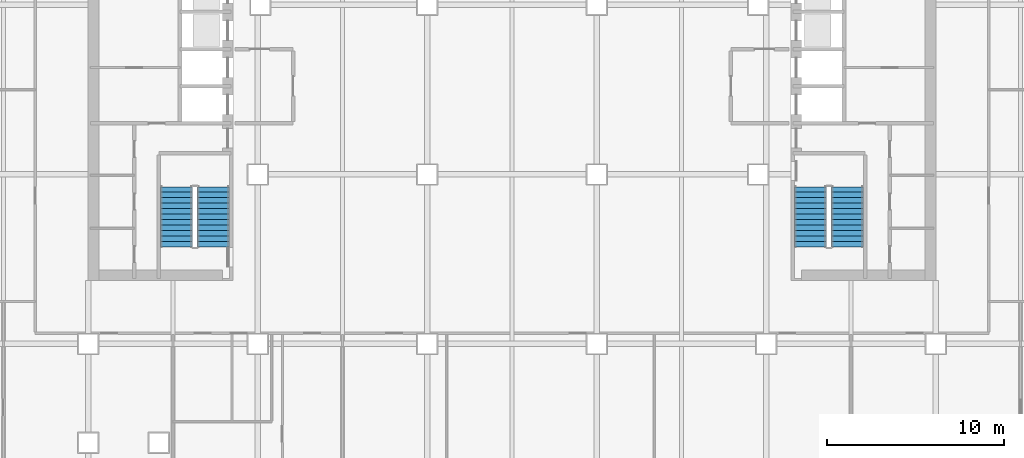
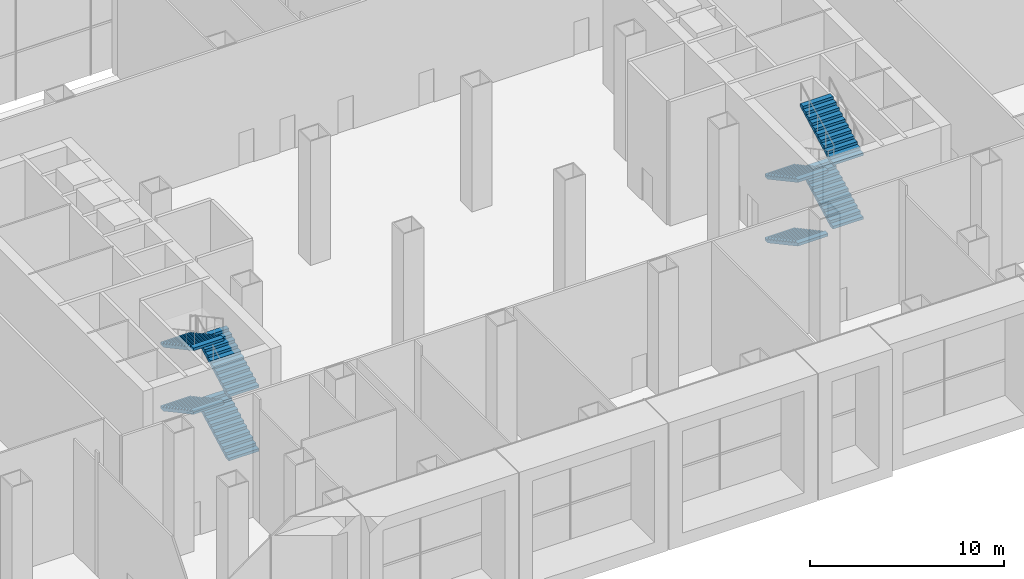
# One storey, part 20 of 24: 8 stair flights, 2 elements without a shape of their own.
"""IFC4 building model written with IfcOpenShell, lengths in metres."""

from ifc_helpers import new_model, si_unit, direction, frame, origin, place, context, subcontext, project, spatial, polyline, outline, extrude, material, type_object, element, aggregate, save


model = new_model("IFC4")

# Units and contexts
model_context = context("Model", 3, precision=1e-05, world=origin(), true_north=direction((0.0, 1.0)))
body_context = subcontext(model_context, "Body", "Model", "MODEL_VIEW")
ifc_project = project(units=[si_unit("LENGTHUNIT", "METRE"), si_unit("AREAUNIT", "SQUARE_METRE"), si_unit("VOLUMEUNIT", "CUBIC_METRE"), si_unit("PLANEANGLEUNIT", "RADIAN"), si_unit("MASSUNIT", "GRAM", prefix="KILO")], contexts=[model_context])

# Site, building, storey
site_placement = place(None, origin())
site = spatial("IfcSite", under=ifc_project, at=site_placement, CompositionType="ELEMENT")
building_placement = place(site_placement, origin())
building = spatial("IfcBuilding", under=site, at=building_placement, Name="Cobrizo Arcos Hotel Tower", CompositionType="ELEMENT")
storey_placement = place(building_placement, frame((0.0, 0.0, 7.5)))
storey = spatial("IfcBuildingStorey", under=building, at=storey_placement, Name="L01", CompositionType="ELEMENT", Elevation=7.5)

# Stair, stair flights
ifc_material = material(Name="Concrete f'c 40 MPa", Category="concrete")
stair_type = type_object("IfcStairType", Name="Exit stair", PredefinedType="HALF_TURN_STAIR", material=ifc_material)
stair_1_placement = place(storey_placement, origin())
stair_1 = element("IfcStair", 1, at=stair_1_placement, inside=storey, type_object=stair_type, Name="L01 Exit stair ST-W", PredefinedType="HALF_TURN_STAIR")
stair_flight_type = type_object("IfcStairFlightType", Name="Exit stair flight", PredefinedType="STRAIGHT", material=ifc_material)
stair_flight_1_placement = place(storey_placement, frame((-16.89990234375, -8.89990234375, 0.0), z_axis=(0.0, 0.0, 1.0), x_axis=(0.0, 1.0, 0.0)))
stair_flight_1 = element("IfcStairFlight", 2, at=stair_flight_1_placement, type_object=stair_flight_type, Name="ST-W flight 1", NumberOfRisers=12, NumberOfTreads=11, PredefinedType="STRAIGHT", RiserHeight=0.166666667, TreadLength=0.309090909, context=body_context, shape_type="SweptSolid", body=[
    extrude(outline(polyline([(0.0, 0.0), (0.0, 0.166748046875), (0.30908203125, 0.166748046875), (0.30908203125, 0.333251953125), (0.6181640625, 0.333251953125), (0.6181640625, 0.5), (0.92724609375, 0.5), (0.92724609375, 0.666748046875), (1.236328125, 0.666748046875), (1.236328125, 0.833251953125), (1.54541015625, 0.833251953125), (1.54541015625, 1.0), (1.8544921875, 1.0), (1.8544921875, 1.166748046875), (2.16357421875, 1.166748046875), (2.16357421875, 1.333251953125), (2.47265625, 1.333251953125), (2.47265625, 1.5), (2.78173828125, 1.5), (2.78173828125, 1.666748046875), (3.0908203125, 1.666748046875), (3.0908203125, 1.833251953125), (3.39990234375, 1.833251953125), (3.39990234375, 2.0), (3.39990234375, 1.6630859375), (0.31591796875, 0.0), (0.0, 0.0)])), frame((0.0, 0.89990234375, 0.0), z_axis=(0.0, -1.0, 0.0), x_axis=(1.0, 0.0, 0.0)), (0.0, 0.0, 1.0), 1.800048828125),
])
stair_flight_2_placement = place(storey_placement, frame((-19.0, -5.5, 2.0), z_axis=(0.0, 0.0, 1.0), x_axis=(0.0, -1.0, 0.0)))
stair_flight_2 = element("IfcStairFlight", 3, at=stair_flight_2_placement, type_object=stair_flight_type, Name="ST-W flight 2", NumberOfRisers=12, NumberOfTreads=11, PredefinedType="STRAIGHT", RiserHeight=0.166666667, TreadLength=0.309090909, context=body_context, shape_type="SweptSolid", body=[
    extrude(outline(polyline([(0.0, 0.0), (0.0, 0.166748046875), (0.30908203125, 0.166748046875), (0.30908203125, 0.333251953125), (0.6181640625, 0.333251953125), (0.6181640625, 0.5), (0.92724609375, 0.5), (0.92724609375, 0.666748046875), (1.236328125, 0.666748046875), (1.236328125, 0.833251953125), (1.54541015625, 0.833251953125), (1.54541015625, 1.0), (1.8544921875, 1.0), (1.8544921875, 1.166748046875), (2.16357421875, 1.166748046875), (2.16357421875, 1.333251953125), (2.47265625, 1.333251953125), (2.47265625, 1.5), (2.78173828125, 1.5), (2.78173828125, 1.666748046875), (3.0908203125, 1.666748046875), (3.0908203125, 1.833251953125), (3.39990234375, 1.833251953125), (3.39990234375, 2.0), (3.39990234375, 1.6630859375), (0.31591796875, 0.0), (0.0, 0.0)])), frame((0.0, 0.89990234375, 0.0), z_axis=(0.0, -1.0, 0.0), x_axis=(1.0, 0.0, 0.0)), (0.0, 0.0, 1.0), 1.800048828125),
])
stair_flight_3_placement = place(storey_placement, frame((-16.89990234375, -8.89990234375, 4.0), z_axis=(0.0, 0.0, 1.0), x_axis=(0.0, 1.0, 0.0)))
stair_flight_3 = element("IfcStairFlight", 4, at=stair_flight_3_placement, type_object=stair_flight_type, Name="ST-W flight 3", NumberOfRisers=12, NumberOfTreads=11, PredefinedType="STRAIGHT", RiserHeight=0.166666667, TreadLength=0.309090909, context=body_context, shape_type="SweptSolid", body=[
    extrude(outline(polyline([(0.0, 0.0), (0.0, 0.166748046875), (0.30908203125, 0.166748046875), (0.30908203125, 0.333251953125), (0.6181640625, 0.333251953125), (0.6181640625, 0.5), (0.92724609375, 0.5), (0.92724609375, 0.666748046875), (1.236328125, 0.666748046875), (1.236328125, 0.833251953125), (1.54541015625, 0.833251953125), (1.54541015625, 1.0), (1.8544921875, 1.0), (1.8544921875, 1.166748046875), (2.16357421875, 1.166748046875), (2.16357421875, 1.333251953125), (2.47265625, 1.333251953125), (2.47265625, 1.5), (2.78173828125, 1.5), (2.78173828125, 1.666748046875), (3.0908203125, 1.666748046875), (3.0908203125, 1.833251953125), (3.39990234375, 1.833251953125), (3.39990234375, 2.0), (3.39990234375, 1.6630859375), (0.31591796875, 0.0), (0.0, 0.0)])), frame((0.0, 0.89990234375, 0.0), z_axis=(0.0, -1.0, 0.0), x_axis=(1.0, 0.0, 0.0)), (0.0, 0.0, 1.0), 1.800048828125),
])
stair_flight_4_placement = place(storey_placement, frame((-19.0, -5.5, 6.0), z_axis=(0.0, 0.0, 1.0), x_axis=(0.0, -1.0, 0.0)))
stair_flight_4 = element("IfcStairFlight", 5, at=stair_flight_4_placement, type_object=stair_flight_type, Name="ST-W flight 4", NumberOfRisers=12, NumberOfTreads=11, PredefinedType="STRAIGHT", RiserHeight=0.166666667, TreadLength=0.309090909, context=body_context, shape_type="SweptSolid", body=[
    extrude(outline(polyline([(0.0, 0.0), (0.0, 0.166748046875), (0.30908203125, 0.166748046875), (0.30908203125, 0.333251953125), (0.6181640625, 0.333251953125), (0.6181640625, 0.5), (0.92724609375, 0.5), (0.92724609375, 0.666748046875), (1.236328125, 0.666748046875), (1.236328125, 0.833251953125), (1.54541015625, 0.833251953125), (1.54541015625, 1.0), (1.8544921875, 1.0), (1.8544921875, 1.166748046875), (2.16357421875, 1.166748046875), (2.16357421875, 1.333251953125), (2.47265625, 1.333251953125), (2.47265625, 1.5), (2.78173828125, 1.5), (2.78173828125, 1.666748046875), (3.0908203125, 1.666748046875), (3.0908203125, 1.833251953125), (3.39990234375, 1.833251953125), (3.39990234375, 2.0), (3.39990234375, 1.6630859375), (0.31591796875, 0.0), (0.0, 0.0)])), frame((0.0, 0.89990234375, 0.0), z_axis=(0.0, -1.0, 0.0), x_axis=(1.0, 0.0, 0.0)), (0.0, 0.0, 1.0), 1.800048828125),
])
aggregate(stair_1, [stair_flight_1, stair_flight_2, stair_flight_3, stair_flight_4])

stair_2_placement = place(storey_placement, origin())
stair_2 = element("IfcStair", 6, at=stair_2_placement, inside=storey, type_object=stair_type, Name="L01 Exit stair ST-E", PredefinedType="HALF_TURN_STAIR")
stair_flight_5_placement = place(storey_placement, frame((16.89990234375, -5.5, 0.0), z_axis=(0.0, 0.0, 1.0), x_axis=(0.0, -1.0, 0.0)))
stair_flight_5 = element("IfcStairFlight", 7, at=stair_flight_5_placement, type_object=stair_flight_type, Name="ST-E flight 1", NumberOfRisers=12, NumberOfTreads=11, PredefinedType="STRAIGHT", RiserHeight=0.166666667, TreadLength=0.309090909, context=body_context, shape_type="SweptSolid", body=[
    extrude(outline(polyline([(0.0, 0.0), (0.0, 0.166748046875), (0.30908203125, 0.166748046875), (0.30908203125, 0.333251953125), (0.6181640625, 0.333251953125), (0.6181640625, 0.5), (0.92724609375, 0.5), (0.92724609375, 0.666748046875), (1.236328125, 0.666748046875), (1.236328125, 0.833251953125), (1.54541015625, 0.833251953125), (1.54541015625, 1.0), (1.8544921875, 1.0), (1.8544921875, 1.166748046875), (2.16357421875, 1.166748046875), (2.16357421875, 1.333251953125), (2.47265625, 1.333251953125), (2.47265625, 1.5), (2.78173828125, 1.5), (2.78173828125, 1.666748046875), (3.0908203125, 1.666748046875), (3.0908203125, 1.833251953125), (3.39990234375, 1.833251953125), (3.39990234375, 2.0), (3.39990234375, 1.6630859375), (0.31591796875, 0.0), (0.0, 0.0)])), frame((0.0, 0.89990234375, 0.0), z_axis=(0.0, -1.0, 0.0), x_axis=(1.0, 0.0, 0.0)), (0.0, 0.0, 1.0), 1.800048828125),
])
stair_flight_6_placement = place(storey_placement, frame((19.0, -8.89990234375, 2.0), z_axis=(0.0, 0.0, 1.0), x_axis=(0.0, 1.0, 0.0)))
stair_flight_6 = element("IfcStairFlight", 8, at=stair_flight_6_placement, type_object=stair_flight_type, Name="ST-E flight 2", NumberOfRisers=12, NumberOfTreads=11, PredefinedType="STRAIGHT", RiserHeight=0.166666667, TreadLength=0.309090909, context=body_context, shape_type="SweptSolid", body=[
    extrude(outline(polyline([(0.0, 0.0), (0.0, 0.166748046875), (0.30908203125, 0.166748046875), (0.30908203125, 0.333251953125), (0.6181640625, 0.333251953125), (0.6181640625, 0.5), (0.92724609375, 0.5), (0.92724609375, 0.666748046875), (1.236328125, 0.666748046875), (1.236328125, 0.833251953125), (1.54541015625, 0.833251953125), (1.54541015625, 1.0), (1.8544921875, 1.0), (1.8544921875, 1.166748046875), (2.16357421875, 1.166748046875), (2.16357421875, 1.333251953125), (2.47265625, 1.333251953125), (2.47265625, 1.5), (2.78173828125, 1.5), (2.78173828125, 1.666748046875), (3.0908203125, 1.666748046875), (3.0908203125, 1.833251953125), (3.39990234375, 1.833251953125), (3.39990234375, 2.0), (3.39990234375, 1.6630859375), (0.31591796875, 0.0), (0.0, 0.0)])), frame((0.0, 0.89990234375, 0.0), z_axis=(0.0, -1.0, 0.0), x_axis=(1.0, 0.0, 0.0)), (0.0, 0.0, 1.0), 1.800048828125),
])
stair_flight_7_placement = place(storey_placement, frame((16.89990234375, -5.5, 4.0), z_axis=(0.0, 0.0, 1.0), x_axis=(0.0, -1.0, 0.0)))
stair_flight_7 = element("IfcStairFlight", 9, at=stair_flight_7_placement, type_object=stair_flight_type, Name="ST-E flight 3", NumberOfRisers=12, NumberOfTreads=11, PredefinedType="STRAIGHT", RiserHeight=0.166666667, TreadLength=0.309090909, context=body_context, shape_type="SweptSolid", body=[
    extrude(outline(polyline([(0.0, 0.0), (0.0, 0.166748046875), (0.30908203125, 0.166748046875), (0.30908203125, 0.333251953125), (0.6181640625, 0.333251953125), (0.6181640625, 0.5), (0.92724609375, 0.5), (0.92724609375, 0.666748046875), (1.236328125, 0.666748046875), (1.236328125, 0.833251953125), (1.54541015625, 0.833251953125), (1.54541015625, 1.0), (1.8544921875, 1.0), (1.8544921875, 1.166748046875), (2.16357421875, 1.166748046875), (2.16357421875, 1.333251953125), (2.47265625, 1.333251953125), (2.47265625, 1.5), (2.78173828125, 1.5), (2.78173828125, 1.666748046875), (3.0908203125, 1.666748046875), (3.0908203125, 1.833251953125), (3.39990234375, 1.833251953125), (3.39990234375, 2.0), (3.39990234375, 1.6630859375), (0.31591796875, 0.0), (0.0, 0.0)])), frame((0.0, 0.89990234375, 0.0), z_axis=(0.0, -1.0, 0.0), x_axis=(1.0, 0.0, 0.0)), (0.0, 0.0, 1.0), 1.800048828125),
])
stair_flight_8_placement = place(storey_placement, frame((19.0, -8.89990234375, 6.0), z_axis=(0.0, 0.0, 1.0), x_axis=(0.0, 1.0, 0.0)))
stair_flight_8 = element("IfcStairFlight", 10, at=stair_flight_8_placement, type_object=stair_flight_type, Name="ST-E flight 4", NumberOfRisers=12, NumberOfTreads=11, PredefinedType="STRAIGHT", RiserHeight=0.166666667, TreadLength=0.309090909, context=body_context, shape_type="SweptSolid", body=[
    extrude(outline(polyline([(0.0, 0.0), (0.0, 0.166748046875), (0.30908203125, 0.166748046875), (0.30908203125, 0.333251953125), (0.6181640625, 0.333251953125), (0.6181640625, 0.5), (0.92724609375, 0.5), (0.92724609375, 0.666748046875), (1.236328125, 0.666748046875), (1.236328125, 0.833251953125), (1.54541015625, 0.833251953125), (1.54541015625, 1.0), (1.8544921875, 1.0), (1.8544921875, 1.166748046875), (2.16357421875, 1.166748046875), (2.16357421875, 1.333251953125), (2.47265625, 1.333251953125), (2.47265625, 1.5), (2.78173828125, 1.5), (2.78173828125, 1.666748046875), (3.0908203125, 1.666748046875), (3.0908203125, 1.833251953125), (3.39990234375, 1.833251953125), (3.39990234375, 2.0), (3.39990234375, 1.6630859375), (0.31591796875, 0.0), (0.0, 0.0)])), frame((0.0, 0.89990234375, 0.0), z_axis=(0.0, -1.0, 0.0), x_axis=(1.0, 0.0, 0.0)), (0.0, 0.0, 1.0), 1.800048828125),
])
aggregate(stair_2, [stair_flight_5, stair_flight_6, stair_flight_7, stair_flight_8])

save(model, "model.ifc")
